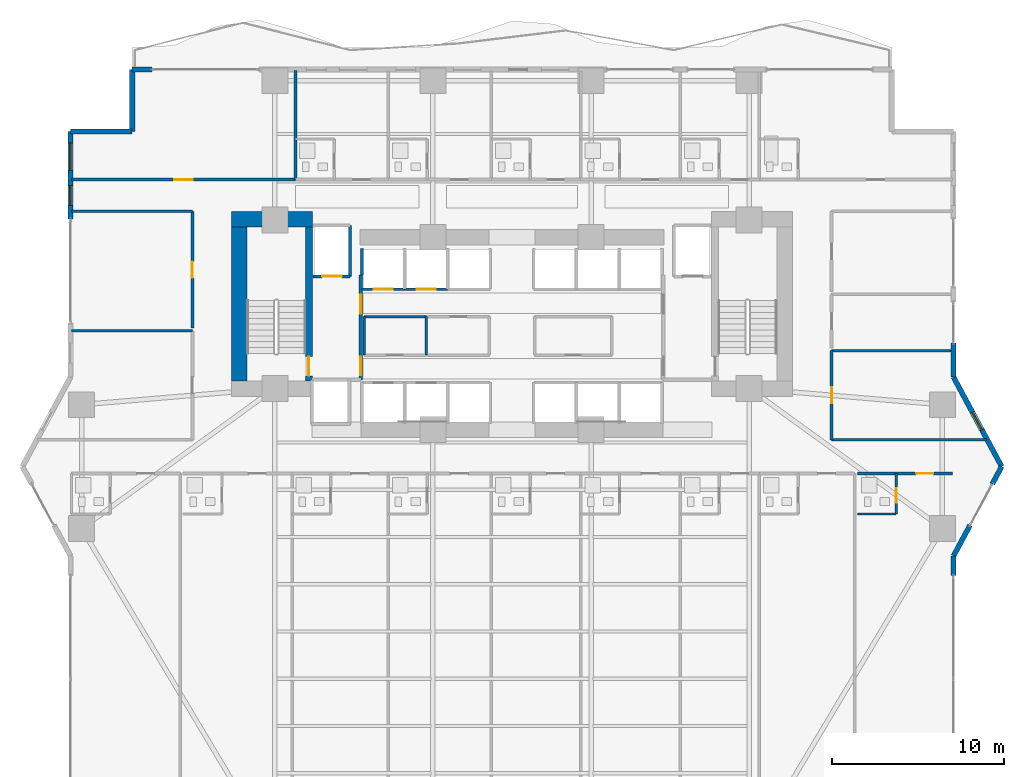
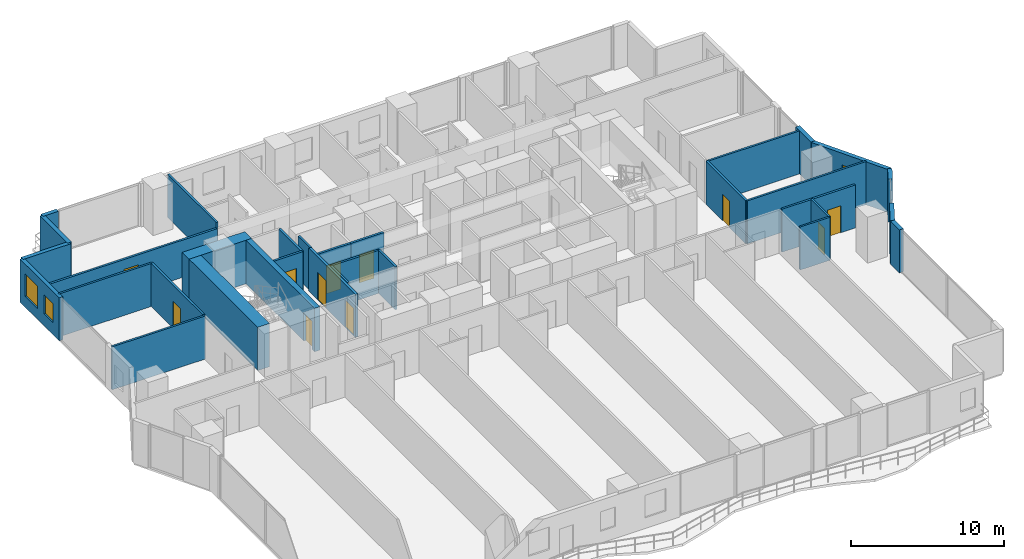
# One storey, part 20 of 28: 32 walls, 11 doors, 3 windows, 14 openings.
"""IFC4 building model written with IfcOpenShell, lengths in metres."""

from ifc_helpers import new_model, si_unit, direction, frame, frame_2d, origin, place, context, subcontext, project, spatial, rectangle, extrude, material, layer, layer_set, type_object, element, fill, save


model = new_model("IFC4")

# Units and contexts
model_context = context("Model", 3, precision=1e-05, world=origin(), true_north=direction((0.0, 1.0)))
body_context = subcontext(model_context, "Body", "Model", "MODEL_VIEW")
ifc_project = project(units=[si_unit("LENGTHUNIT", "METRE"), si_unit("AREAUNIT", "SQUARE_METRE"), si_unit("VOLUMEUNIT", "CUBIC_METRE"), si_unit("PLANEANGLEUNIT", "RADIAN"), si_unit("MASSUNIT", "GRAM", prefix="KILO")], contexts=[model_context])

# Site, building, storey
site_placement = place(None, origin())
site = spatial("IfcSite", under=ifc_project, at=site_placement, CompositionType="ELEMENT")
building_placement = place(site_placement, origin())
building = spatial("IfcBuilding", under=site, at=building_placement, Name="Zuhayl Quay Hotel", CompositionType="ELEMENT")
storey_placement = place(building_placement, frame((0.0, 0.0, 34.89990234375)))
storey = spatial("IfcBuildingStorey", under=building, at=storey_placement, Name="L07", CompositionType="ELEMENT", Elevation=34.89990234375)

# Walls
ifc_material_1 = material(Name="Concrete C70/85", Category="concrete")
ifc_layer_1 = layer(ifc_material_1, 0.89990234375, Name="Concrete C70/85", Category="concrete")
ifc_layer_set_1 = layer_set([ifc_layer_1], Name="Concrete C70/85")
wall_type_1 = type_object("IfcWallType", Name="WL_CORE_900", PredefinedType="SHEAR", material=ifc_layer_set_1)
wall_1_placement = place(storey_placement, frame((-16.31005859375, 14.3798828125, 0.0), z_axis=(0.0, 0.0, 1.0), x_axis=(1.0, 0.0, 0.0)))
element("IfcWall", 1, at=wall_1_placement, inside=storey, type_object=wall_type_1, Name="L07 Core Shear Wall CW_NW", PredefinedType="SHEAR", context=body_context, shape_type="SweptSolid", body=[
    extrude(rectangle(XDim=4.7099609375, YDim=0.89990234375, at=frame_2d((2.35498046875, 0.0))), origin(), (0.0, 0.0, 1.0), 3.460205078125),
])
wall_2_placement = place(storey_placement, frame((-15.860107421875, 4.969970703125, 0.0), z_axis=(0.0, 0.0, 1.0), x_axis=(0.0, 1.0, 0.0)))
element("IfcWall", 2, at=wall_2_placement, inside=storey, type_object=wall_type_1, Name="L07 Core Shear Wall CW_W", PredefinedType="SHEAR", context=body_context, shape_type="SweptSolid", body=[
    extrude(rectangle(XDim=8.9599609375, YDim=0.89990234375, at=frame_2d((4.47998046875, 0.0))), origin(), (0.0, 0.0, 1.0), 3.460205078125),
])

# Wall, openings, windows
ifc_material_2 = material(Name="Precast concrete C45/55", Category="concrete")
ifc_layer_2 = layer(ifc_material_2, 0.300048828125, Name="Precast concrete C45/55", Category="concrete")
ifc_layer_set_2 = layer_set([ifc_layer_2], Name="Precast concrete C45/55")
wall_type_2 = type_object("IfcWallType", Name="WL_EXT_300", PredefinedType="STANDARD", material=ifc_layer_set_2)
wall_3_placement = place(storey_placement, frame((-25.699951171875, 14.39990234375, 0.0), z_axis=(0.0, 0.0, 1.0), x_axis=(0.0, 1.0, 0.0)))
wall_3 = element("IfcWall", 3, at=wall_3_placement, inside=storey, type_object=wall_type_2, Name="L07 Exterior Precast Wall ENV_L07_E05_EW2", PredefinedType="STANDARD", context=body_context, shape_type="SweptSolid", body=[
    extrude(rectangle(XDim=5.10009765625, YDim=0.300048828125, at=frame_2d((2.550048828125, 0.0))), origin(), (0.0, 0.0, 1.0), 3.43017578125),
])
opening_1_placement = place(wall_3_placement, frame((0.800048828125, 0.0, 0.949951171875)))
opening_1 = element("IfcOpeningElement", 4, at=opening_1_placement, cuts=wall_3, Name="Opening W01N", PredefinedType="OPENING", context=body_context, shape_type="SweptSolid", body=[
    extrude(rectangle(XDim=1.14990234375, YDim=1.550048828125, at=frame_2d((0.574951171875, 0.77490234375))), frame((0.0, 0.159912109375, 0.0), z_axis=(0.0, -1.0, 0.0), x_axis=(1.0, 0.0, 0.0)), (0.0, 0.0, 1.0), 0.320068359375),
])
opening_2_placement = place(wall_3_placement, frame((2.840087890625, 0.0, 0.85009765625)))
opening_2 = element("IfcOpeningElement", 5, at=opening_2_placement, cuts=wall_3, Name="Opening W01", PredefinedType="OPENING", context=body_context, shape_type="SweptSolid", body=[
    extrude(rectangle(XDim=1.60009765625, YDim=1.800048828125, at=frame_2d((0.800048828125, 0.89990234375))), frame((0.0, 0.159912109375, 0.0), z_axis=(0.0, -1.0, 0.0), x_axis=(1.0, 0.0, 0.0)), (0.0, 0.0, 1.0), 0.320068359375),
])
ifc_material_3 = material(Name="Dark Ceramic-Fritted Solar Glass", Category="glass")
window_type_1 = type_object("IfcWindowType", Name="WN_NOTCH_1350", PartitioningType="SINGLE_PANEL", PredefinedType="WINDOW", material=ifc_material_3)
window_1_placement = place(opening_1_placement, origin())
window_1 = element("IfcWindow", 6, at=window_1_placement, inside=storey, type_object=window_type_1, Name="L07 Operable Facade Window 2-1", OverallHeight=1.550048828125, OverallWidth=1.14990234375, PartitioningType="SINGLE_PANEL", PredefinedType="WINDOW", context=body_context, shape_type="SweptSolid", body=[
    extrude(rectangle(XDim=1.14990234375, YDim=1.550048828125, at=frame_2d((0.574951171875, 0.77490234375))), frame((0.0, 0.030029296875, 0.0), z_axis=(0.0, -1.0, 0.0), x_axis=(1.0, 0.0, 0.0)), (0.0, 0.0, 1.0), 0.06005859375),
])
fill(opening_1, window_1)
window_type_2 = type_object("IfcWindowType", Name="WN_OPERABLE_1600", PartitioningType="DOUBLE_PANEL_VERTICAL", PredefinedType="WINDOW", material=ifc_material_3)
window_2_placement = place(opening_2_placement, origin())
window_2 = element("IfcWindow", 7, at=window_2_placement, inside=storey, type_object=window_type_2, Name="L07 Operable Facade Window 2-2", OverallHeight=1.800048828125, OverallWidth=1.60009765625, PartitioningType="SINGLE_PANEL", PredefinedType="WINDOW", context=body_context, shape_type="SweptSolid", body=[
    extrude(rectangle(XDim=1.60009765625, YDim=1.800048828125, at=frame_2d((0.800048828125, 0.89990234375))), frame((0.0, 0.030029296875, 0.0), z_axis=(0.0, -1.0, 0.0), x_axis=(1.0, 0.0, 0.0)), (0.0, 0.0, 1.0), 0.06005859375),
])
fill(opening_2, window_2)

# Walls
wall_4_placement = place(storey_placement, frame((-25.699951171875, 19.5, 0.0), z_axis=(0.0, 0.0, 1.0), x_axis=(1.0, 0.0, 0.0)))
element("IfcWall", 8, at=wall_4_placement, inside=storey, type_object=wall_type_2, Name="L07 Exterior Precast Wall ENV_L07_EW06", PredefinedType="STANDARD", context=body_context, shape_type="SweptSolid", body=[
    extrude(rectangle(XDim=3.599853515625, YDim=0.300048828125, at=frame_2d((1.7998046875, 0.0))), origin(), (0.0, 0.0, 1.0), 3.43017578125),
])
wall_5_placement = place(storey_placement, frame((-22.10009765625, 19.5, 0.0), z_axis=(0.0, 0.0, 1.0), x_axis=(0.0, 1.0, 0.0)))
element("IfcWall", 9, at=wall_5_placement, inside=storey, type_object=wall_type_2, Name="L07 Exterior Precast Wall ENV_L07_EW07", PredefinedType="STANDARD", context=body_context, shape_type="SweptSolid", body=[
    extrude(rectangle(XDim=3.60009765625, YDim=0.300048828125, at=frame_2d((1.800048828125, 0.0))), origin(), (0.0, 0.0, 1.0), 3.43017578125),
])
wall_6_placement = place(storey_placement, frame((-22.10009765625, 23.10009765625, 0.0), z_axis=(0.0, 0.0, 1.0), x_axis=(1.0, 0.0, 0.0)))
element("IfcWall", 10, at=wall_6_placement, inside=storey, type_object=wall_type_2, Name="L07 Exterior Precast Wall ENV_L07_N_EW1", PredefinedType="STANDARD", context=body_context, shape_type="SweptSolid", body=[
    extrude(rectangle(XDim=1.150146484375, YDim=0.300048828125, at=frame_2d((0.5751953125, 0.0))), origin(), (0.0, 0.0, 1.0), 3.43017578125),
])
wall_7_placement = place(storey_placement, frame((25.699951171875, 7.199951171875, 0.0), z_axis=(0.0, 0.0, 1.0), x_axis=(0.0, -1.0, 0.0)))
element("IfcWall", 11, at=wall_7_placement, inside=storey, type_object=wall_type_2, Name="L07 Exterior Precast Wall ENV_L07_E11_EW3", PredefinedType="STANDARD", context=body_context, shape_type="SweptSolid", body=[
    extrude(rectangle(XDim=2.0, YDim=0.300048828125, at=frame_2d((1.0, 0.0))), origin(), (0.0, 0.0, 1.0), 3.43017578125),
])

# Wall, opening, window
wall_8_placement = place(storey_placement, frame((25.699951171875, 5.199951171875, 0.0), z_axis=(0.0, 0.0, 1.0), x_axis=(0.474109683532, -0.880465790352, 0.0)))
wall_8 = element("IfcWall", 12, at=wall_8_placement, inside=storey, type_object=wall_type_2, Name="L07 Exterior Precast Wall ENV_L07_E12_EW1", PredefinedType="STANDARD", context=body_context, shape_type="SweptSolid", body=[
    extrude(rectangle(XDim=5.906005859375, YDim=0.300048828125, at=frame_2d((2.953125, 0.0))), origin(), (0.0, 0.0, 1.0), 3.43017578125),
])
opening_3_placement = place(wall_8_placement, frame((2.32373046875, 0.0, 0.949951171875)))
opening_3 = element("IfcOpeningElement", 13, at=opening_3_placement, cuts=wall_8, Name="Opening W01N", PredefinedType="OPENING", context=body_context, shape_type="SweptSolid", body=[
    extrude(rectangle(XDim=1.14990234375, YDim=1.550048828125, at=frame_2d((0.574951171875, 0.77490234375))), frame((0.0, 0.159912109375, 0.0), z_axis=(0.0, -1.0, 0.0), x_axis=(1.0, 0.0, 0.0)), (0.0, 0.0, 1.0), 0.320068359375),
])
window_3_placement = place(opening_3_placement, origin())
window_3 = element("IfcWindow", 14, at=window_3_placement, inside=storey, type_object=window_type_1, Name="L07 Operable Facade Window 1-1", OverallHeight=1.550048828125, OverallWidth=1.14990234375, PartitioningType="SINGLE_PANEL", PredefinedType="WINDOW", context=body_context, shape_type="SweptSolid", body=[
    extrude(rectangle(XDim=1.14990234375, YDim=1.550048828125, at=frame_2d((0.574951171875, 0.77490234375))), frame((0.0, 0.030029296875, 0.0), z_axis=(0.0, -1.0, 0.0), x_axis=(1.0, 0.0, 0.0)), (0.0, 0.0, 1.0), 0.06005859375),
])
fill(opening_3, window_3)

# Walls
wall_9_placement = place(storey_placement, frame((28.5, 0.0, 0.0), z_axis=(0.0, 0.0, 1.0), x_axis=(-0.474099823035, -0.880471099922, 0.0)))
element("IfcWall", 15, at=wall_9_placement, inside=storey, type_object=wall_type_2, Name="L07 Exterior Precast Wall ENV_L07_E13_EW1", PredefinedType="STANDARD", context=body_context, shape_type="SweptSolid", body=[
    extrude(rectangle(XDim=1.14990234375, YDim=0.300048828125, at=frame_2d((0.574951171875, 0.0))), origin(), (0.0, 0.0, 1.0), 3.43017578125),
])
wall_10_placement = place(storey_placement, frame((26.657958984375, -3.4208984375, 0.0), z_axis=(0.0, 0.0, 1.0), x_axis=(-0.474121438562, -0.88045946045, 0.0)))
element("IfcWall", 16, at=wall_10_placement, inside=storey, type_object=wall_type_2, Name="L07 Exterior Precast Wall ENV_L07_E13_EW2", PredefinedType="STANDARD", context=body_context, shape_type="SweptSolid", body=[
    extrude(rectangle(XDim=2.0205078125, YDim=0.300048828125, at=frame_2d((1.01025390625, 0.0))), origin(), (0.0, 0.0, 1.0), 3.43017578125),
])
wall_11_placement = place(storey_placement, frame((25.699951171875, -5.199951171875, 0.0), z_axis=(0.0, 0.0, 1.0), x_axis=(0.0, -1.0, 0.0)))
element("IfcWall", 17, at=wall_11_placement, inside=storey, type_object=wall_type_2, Name="L07 Exterior Precast Wall ENV_L07_E14_EW1", PredefinedType="STANDARD", context=body_context, shape_type="SweptSolid", body=[
    extrude(rectangle(XDim=1.150146484375, YDim=0.300048828125, at=frame_2d((0.5751953125, 0.0))), origin(), (0.0, 0.0, 1.0), 3.43017578125),
])
ifc_material_4 = material(Name="Acoustic Gypsum Partition STC-58")
ifc_layer_3 = layer(ifc_material_4, 0.14990234375, Name="Acoustic Gypsum Partition STC-58")
ifc_layer_set_3 = layer_set([ifc_layer_3], Name="Acoustic Gypsum Partition STC-58")
wall_type_3 = type_object("IfcWallType", Name="WL_PART_150", PredefinedType="PARTITIONING", material=ifc_layer_set_3)
wall_12_placement = place(storey_placement, frame((-8.610107421875, 8.719970703125, 0.0), z_axis=(0.0, 0.0, 1.0), x_axis=(1.0, 0.0, 0.0)))
element("IfcWall", 18, at=wall_12_placement, inside=storey, type_object=wall_type_3, Name="L07 Partition IW_L07_CORE_SW_N", PredefinedType="PARTITIONING", context=body_context, shape_type="SweptSolid", body=[
    extrude(rectangle(XDim=3.6201171875, YDim=0.14990234375, at=frame_2d((1.81005859375, 0.0))), origin(), (0.0, 0.0, 1.0), 3.43017578125),
])
for number, where, z_axis, x_axis, name in (
    (19, (-8.610107421875, 6.47998046875, 0.0), (0.0, 0.0, 1.0), (0.0, 1.0, 0.0), "L07 Partition IW_L07_CORE_SW_W"),
    (20, (-4.989990234375, 6.47998046875, 0.0), (0.0, 0.0, 1.0), (0.0, 1.0, 0.0), "L07 Partition IW_L07_CORE_SW_E"),
):
    element("IfcWall", number, at=place(storey_placement, frame(where, z_axis=z_axis, x_axis=x_axis)), inside=storey, type_object=wall_type_3, Name=name, PredefinedType="PARTITIONING", context=body_context, shape_type="SweptSolid", body=[
        extrude(rectangle(XDim=2.239990234375, YDim=0.14990234375, at=frame_2d((1.1201171875, 0.0))), origin(), (0.0, 0.0, 1.0), 3.43017578125),
    ])
wall_13_placement = place(storey_placement, frame((-12.60009765625, 16.699951171875, 0.0), z_axis=(0.0, 0.0, 1.0), x_axis=(0.0, 1.0, 0.0)))
element("IfcWall", 21, at=wall_13_placement, inside=storey, type_object=wall_type_3, Name="L07 Partition IW_L07_NSAL_0_E", PredefinedType="PARTITIONING", context=body_context, shape_type="SweptSolid", body=[
    extrude(rectangle(XDim=6.340087890625, YDim=0.14990234375, at=frame_2d((3.169921875, 0.0))), origin(), (0.0, 0.0, 1.0), 3.43017578125),
])
wall_14_placement = place(storey_placement, frame((18.60009765625, 1.550048828125, 0.0), z_axis=(0.0, 0.0, 1.0), x_axis=(1.0, 0.0, 0.0)))
element("IfcWall", 22, at=wall_14_placement, inside=storey, type_object=wall_type_3, Name="L07 Partition IW_L07_HK_MAIN_S", PredefinedType="PARTITIONING", context=body_context, shape_type="SweptSolid", body=[
    extrude(rectangle(XDim=9.00537109375, YDim=0.14990234375, at=frame_2d((4.502685546875, 0.0))), origin(), (0.0, 0.0, 1.0), 3.43017578125),
])
for number, where, z_axis, x_axis, name in (
    (23, (18.60009765625, 6.75, 0.0), (0.0, 0.0, 1.0), (1.0, 0.0, 0.0), "L07 Partition IW_L07_HK_MAIN_N"),
    (24, (-25.639892578125, 7.89990234375, 0.0), (0.0, 0.0, 1.0), (1.0, 0.0, 0.0), "L07 Partition IW_L07_WPROW_1_N"),
    (25, (-25.639892578125, 14.85009765625, 0.0), (0.0, 0.0, 1.0), (1.0, 0.0, 0.0), "L07 Partition IW_L07_WPROW_2_N"),
):
    element("IfcWall", number, at=place(storey_placement, frame(where, z_axis=z_axis, x_axis=x_axis)), inside=storey, type_object=wall_type_3, Name=name, PredefinedType="PARTITIONING", context=body_context, shape_type="SweptSolid", body=[
        extrude(rectangle(XDim=7.039794921875, YDim=0.14990234375, at=frame_2d((3.52001953125, 0.0))), origin(), (0.0, 0.0, 1.0), 3.43017578125),
    ])

# Wall, opening, door
ifc_layer_4 = layer(ifc_material_4, 0.159912109375, Name="Acoustic Gypsum Partition STC-58")
ifc_layer_set_4 = layer_set([ifc_layer_4], Name="Acoustic Gypsum Partition STC-58")
wall_type_4 = type_object("IfcWallType", Name="WL_PART_CORR_160", PredefinedType="PARTITIONING", material=ifc_layer_set_4)
wall_15_placement = place(storey_placement, frame((-25.639892578125, 16.699951171875, 0.0), z_axis=(0.0, 0.0, 1.0), x_axis=(1.0, 0.0, 0.0)))
wall_15 = element("IfcWall", 26, at=wall_15_placement, inside=storey, type_object=wall_type_4, Name="L07 Partition IW_L07_NSAL_0_S", PredefinedType="PARTITIONING", context=body_context, shape_type="SweptSolid", body=[
    extrude(rectangle(XDim=13.039794921875, YDim=0.159912109375, at=frame_2d((6.52001953125, 0.0))), origin(), (0.0, 0.0, 1.0), 2.97314453125),
])
opening_4_placement = place(wall_15_placement, frame((5.97998046875, 0.0, 0.0)))
opening_4 = element("IfcOpeningElement", 27, at=opening_4_placement, cuts=wall_15, Name="Opening D05A", PredefinedType="OPENING", context=body_context, shape_type="SweptSolid", body=[
    extrude(rectangle(XDim=1.080078125, YDim=2.179931640625, at=frame_2d((0.5400390625, 1.08984375))), frame((0.0, 0.08984375, 0.0), z_axis=(0.0, -1.0, 0.0), x_axis=(1.0, 0.0, 0.0)), (0.0, 0.0, 1.0), 0.179931640625),
])
ifc_material_5 = material(Name="Solid Walnut Acoustic Fire Door")
door_type_1 = type_object("IfcDoorType", Name="DR_INT_1100", OperationType="NOTDEFINED", PredefinedType="DOOR", material=ifc_material_5)
door_1_placement = place(opening_4_placement, origin())
door_1 = element("IfcDoor", 28, at=door_1_placement, inside=storey, type_object=door_type_1, Name="L07 Gulf Executive Lounge Door", OperationType="SINGLE_SWING_RIGHT", OverallHeight=2.179931640625, OverallWidth=1.080078125, PredefinedType="DOOR", context=body_context, shape_type="SweptSolid", body=[
    extrude(rectangle(XDim=1.080078125, YDim=2.179931640625, at=frame_2d((0.5400390625, 1.08984375))), frame((0.0, 0.02490234375, 0.0), z_axis=(0.0, -1.0, 0.0), x_axis=(1.0, 0.0, 0.0)), (0.0, 0.0, 1.0), 0.050048828125),
])
fill(opening_4, door_1)

wall_16_placement = place(storey_placement, frame((20.10009765625, -0.39990234375, 0.0), z_axis=(0.0, 0.0, 1.0), x_axis=(1.0, 0.0, 0.0)))
wall_16 = element("IfcWall", 29, at=wall_16_placement, inside=storey, type_object=wall_type_4, Name="L07 Partition IW_L07_SU07B_COR", PredefinedType="PARTITIONING", context=body_context, shape_type="SweptSolid", body=[
    extrude(rectangle(XDim=5.539794921875, YDim=0.159912109375, at=frame_2d((2.77001953125, 0.0))), origin(), (0.0, 0.0, 1.0), 3.43017578125),
])
opening_5_placement = place(wall_16_placement, frame((3.419921875, 0.0, 0.0)))
opening_5 = element("IfcOpeningElement", 30, at=opening_5_placement, cuts=wall_16, Name="Opening D03L", PredefinedType="OPENING", context=body_context, shape_type="SweptSolid", body=[
    extrude(rectangle(XDim=1.0, YDim=2.14990234375, at=frame_2d((0.5, 1.074951171875))), frame((0.0, 0.08984375, 0.0), z_axis=(0.0, -1.0, 0.0), x_axis=(1.0, 0.0, 0.0)), (0.0, 0.0, 1.0), 0.179931640625),
])
door_type_2 = type_object("IfcDoorType", Name="DR_SUITE_1000", OperationType="NOTDEFINED", PredefinedType="DOOR", material=ifc_material_5)
door_2_placement = place(opening_5_placement, origin())
door_2 = element("IfcDoor", 31, at=door_2_placement, inside=storey, type_object=door_type_2, Name="L07 Premier Twin Junior Suite L07-07B Entrance Door", OperationType="SINGLE_SWING_RIGHT", OverallHeight=2.14990234375, OverallWidth=1.0, PredefinedType="DOOR", context=body_context, shape_type="SweptSolid", body=[
    extrude(rectangle(XDim=1.0, YDim=2.14990234375, at=frame_2d((0.5, 1.074951171875))), frame((0.0, 0.02490234375, 0.0), z_axis=(0.0, -1.0, 0.0), x_axis=(1.0, 0.0, 0.0)), (0.0, 0.0, 1.0), 0.050048828125),
])
fill(opening_5, door_2)

wall_17_placement = place(storey_placement, frame((18.60009765625, 1.550048828125, 0.0), z_axis=(0.0, 0.0, 1.0), x_axis=(0.0, 1.0, 0.0)))
wall_17 = element("IfcWall", 32, at=wall_17_placement, inside=storey, type_object=wall_type_4, Name="L07 Partition IW_L07_HK_MAIN_W", PredefinedType="PARTITIONING", context=body_context, shape_type="SweptSolid", body=[
    extrude(rectangle(XDim=5.199951171875, YDim=0.159912109375, at=frame_2d((2.60009765625, 0.0))), origin(), (0.0, 0.0, 1.0), 3.43017578125),
])
opening_6_placement = place(wall_17_placement, frame((2.139892578125, 0.0, 0.0)))
opening_6 = element("IfcOpeningElement", 33, at=opening_6_placement, cuts=wall_17, Name="Opening D05", PredefinedType="OPENING", context=body_context, shape_type="SweptSolid", body=[
    extrude(rectangle(XDim=0.919921875, YDim=2.1201171875, at=frame_2d((0.4599609375, 1.06005859375))), frame((0.0, 0.08984375, 0.0), z_axis=(0.0, -1.0, 0.0), x_axis=(1.0, 0.0, 0.0)), (0.0, 0.0, 1.0), 0.179931640625),
])
door_type_3 = type_object("IfcDoorType", Name="DR_INT_950", OperationType="NOTDEFINED", PredefinedType="DOOR", material=ifc_material_5)
door_3_placement = place(opening_6_placement, origin())
door_3 = element("IfcDoor", 34, at=door_3_placement, inside=storey, type_object=door_type_3, Name="L07 Housekeeping and Linen Room Door", OperationType="SINGLE_SWING_LEFT", OverallHeight=2.1201171875, OverallWidth=0.919921875, PredefinedType="DOOR", context=body_context, shape_type="SweptSolid", body=[
    extrude(rectangle(XDim=0.919921875, YDim=2.1201171875, at=frame_2d((0.4599609375, 1.06005859375))), frame((0.0, 0.02490234375, 0.0), z_axis=(0.0, -1.0, 0.0), x_axis=(1.0, 0.0, 0.0)), (0.0, 0.0, 1.0), 0.050048828125),
])
fill(opening_6, door_3)

wall_18_placement = place(storey_placement, frame((-18.60009765625, 8.06005859375, 0.0), z_axis=(0.0, 0.0, 1.0), x_axis=(0.0, 1.0, 0.0)))
wall_18 = element("IfcWall", 35, at=wall_18_placement, inside=storey, type_object=wall_type_4, Name="L07 Partition IW_L07_WPROW_2_E", PredefinedType="PARTITIONING", context=body_context, shape_type="SweptSolid", body=[
    extrude(rectangle(XDim=6.7900390625, YDim=0.159912109375, at=frame_2d((3.39501953125, 0.0))), origin(), (0.0, 0.0, 1.0), 3.43017578125),
])
opening_7_placement = place(wall_18_placement, frame((2.919921875, 0.0, 0.0)))
opening_7 = element("IfcOpeningElement", 36, at=opening_7_placement, cuts=wall_18, Name="Opening D03", PredefinedType="OPENING", context=body_context, shape_type="SweptSolid", body=[
    extrude(rectangle(XDim=0.949951171875, YDim=2.14990234375, at=frame_2d((0.47509765625, 1.074951171875))), frame((0.0, 0.08984375, 0.0), z_axis=(0.0, -1.0, 0.0), x_axis=(1.0, 0.0, 0.0)), (0.0, 0.0, 1.0), 0.179931640625),
])
door_type_4 = type_object("IfcDoorType", Name="DR_SUITE_950", OperationType="NOTDEFINED", PredefinedType="DOOR", material=ifc_material_5)
door_4_placement = place(opening_7_placement, origin())
door_4 = element("IfcDoor", 37, at=door_4_placement, inside=storey, type_object=door_type_4, Name="L07 Sunset Lounge L07 Door", OperationType="SINGLE_SWING_LEFT", OverallHeight=2.14990234375, OverallWidth=0.949951171875, PredefinedType="DOOR", context=body_context, shape_type="SweptSolid", body=[
    extrude(rectangle(XDim=0.949951171875, YDim=2.14990234375, at=frame_2d((0.47509765625, 1.074951171875))), frame((0.0, 0.02490234375, 0.0), z_axis=(0.0, -1.0, 0.0), x_axis=(1.0, 0.0, 0.0)), (0.0, 0.0, 1.0), 0.050048828125),
])
fill(opening_7, door_4)

ifc_material_6 = material(Name="Moisture-Resistant Sanitarychase Gypsum")
ifc_layer_5 = layer(ifc_material_6, 0.135009765625, Name="Moisture-Resistant Sanitarychase Gypsum")
ifc_layer_set_5 = layer_set([ifc_layer_5], Name="Moisture-Resistant Sanitarychase Gypsum")
wall_type_5 = type_object("IfcWallType", Name="WL_PART_PLUMB_150", PredefinedType="PLUMBINGWALL", material=ifc_layer_set_5)
wall_19_placement = place(storey_placement, frame((22.360107421875, -2.760009765625, 0.0), z_axis=(0.0, 0.0, 1.0), x_axis=(0.0, 1.0, 0.0)))
wall_19 = element("IfcWall", 38, at=wall_19_placement, inside=storey, type_object=wall_type_5, Name="L07 Partition IW_L07_SU07B_BE", PredefinedType="PLUMBINGWALL", context=body_context, shape_type="SweptSolid", body=[
    extrude(rectangle(XDim=2.360107421875, YDim=0.135009765625, at=frame_2d((1.18017578125, 0.0))), origin(), (0.0, 0.0, 1.0), 3.43017578125),
])
opening_8_placement = place(wall_19_placement, frame((0.64990234375, 0.0, 0.0)))
opening_8 = element("IfcOpeningElement", 39, at=opening_8_placement, cuts=wall_19, Name="Opening D04", PredefinedType="OPENING", context=body_context, shape_type="SweptSolid", body=[
    extrude(rectangle(XDim=0.85009765625, YDim=2.10009765625, at=frame_2d((0.425048828125, 1.050048828125))), frame((0.0, 0.077392578125, 0.0), z_axis=(0.0, -1.0, 0.0), x_axis=(1.0, 0.0, 0.0)), (0.0, 0.0, 1.0), 0.155029296875),
])
ifc_material_7 = material(Name="Moisture-Resistant Walnut Veneer")
door_type_5 = type_object("IfcDoorType", Name="DR_BATH_850", OperationType="NOTDEFINED", PredefinedType="DOOR", material=ifc_material_7)
door_5_placement = place(opening_8_placement, origin())
door_5 = element("IfcDoor", 40, at=door_5_placement, inside=storey, type_object=door_type_5, Name="L07 Premier Twin Junior Suite L07-07B En-Suite Door", OperationType="SINGLE_SWING_LEFT", OverallHeight=2.10009765625, OverallWidth=0.85009765625, PredefinedType="DOOR", context=body_context, shape_type="SweptSolid", body=[
    extrude(rectangle(XDim=0.85009765625, YDim=2.10009765625, at=frame_2d((0.425048828125, 1.050048828125))), frame((0.0, 0.02490234375, 0.0), z_axis=(0.0, -1.0, 0.0), x_axis=(1.0, 0.0, 0.0)), (0.0, 0.0, 1.0), 0.050048828125),
])
fill(opening_8, door_5)

# Wall
wall_20_placement = place(storey_placement, frame((20.10009765625, -2.760009765625, 0.0), z_axis=(0.0, 0.0, 1.0), x_axis=(1.0, 0.0, 0.0)))
element("IfcWall", 41, at=wall_20_placement, inside=storey, type_object=wall_type_5, Name="L07 Partition IW_L07_SU07B_BS", PredefinedType="PLUMBINGWALL", context=body_context, shape_type="SweptSolid", body=[
    extrude(rectangle(XDim=2.260009765625, YDim=0.135009765625, at=frame_2d((1.1298828125, 0.0))), origin(), (0.0, 0.0, 1.0), 3.43017578125),
])

# Wall, opening, door
ifc_material_8 = material(Name="Gypsum Fireboard Assembly EI-90")
ifc_layer_6 = layer(ifc_material_8, 0.1650390625, Name="Gypsum Fireboard Assembly EI-90")
ifc_layer_set_6 = layer_set([ifc_layer_6], Name="Gypsum Fireboard Assembly EI-90")
wall_type_6 = type_object("IfcWallType", Name="WL_PART_SHAFT_160", PredefinedType="PARTITIONING", material=ifc_layer_set_6)
wall_21_placement = place(storey_placement, frame((-11.580078125, 11.070068359375, 0.0), z_axis=(0.0, 0.0, 1.0), x_axis=(1.0, 0.0, 0.0)))
wall_21 = element("IfcWall", 42, at=wall_21_placement, inside=storey, type_object=wall_type_6, Name="L07 Partition IW_L07_SH_FL1_F", PredefinedType="PARTITIONING", context=body_context, shape_type="SweptSolid", body=[
    extrude(rectangle(XDim=2.16015625, YDim=0.1650390625, at=frame_2d((1.080078125, 0.0))), origin(), (0.0, 0.0, 1.0), 3.43017578125),
])
opening_9_placement = place(wall_21_placement, frame((0.530029296875, 0.0, 0.0)))
opening_9 = element("IfcOpeningElement", 43, at=opening_9_placement, cuts=wall_21, Name="Opening LD2", PredefinedType="OPENING", context=body_context, shape_type="SweptSolid", body=[
    extrude(rectangle(XDim=1.14990234375, YDim=2.25, at=frame_2d((0.574951171875, 1.125))), frame((0.0, 0.092529296875, 0.0), z_axis=(0.0, -1.0, 0.0), x_axis=(1.0, 0.0, 0.0)), (0.0, 0.0, 1.0), 0.18505859375),
])
ifc_material_9 = material(Name="Brushed Stainless Steel", Category="steel")
door_type_6 = type_object("IfcDoorType", Name="DR_LIFT_FF_1100", OperationType="SLIDING_TO_LEFT", PredefinedType="DOOR", material=ifc_material_9)
door_6_placement = place(opening_9_placement, origin())
door_6 = element("IfcDoor", 44, at=door_6_placement, inside=storey, type_object=door_type_6, Name="L07 Lift FL1 Sliding Landing Door", OperationType="SLIDING_TO_LEFT", OverallHeight=2.25, OverallWidth=1.14990234375, PredefinedType="DOOR", context=body_context, shape_type="SweptSolid", body=[
    extrude(rectangle(XDim=1.14990234375, YDim=2.25, at=frame_2d((0.574951171875, 1.125))), frame((0.0, 0.02490234375, 0.0), z_axis=(0.0, -1.0, 0.0), x_axis=(1.0, 0.0, 0.0)), (0.0, 0.0, 1.0), 0.050048828125),
])
fill(opening_9, door_6)

wall_22_placement = place(storey_placement, frame((-8.72998046875, 10.320068359375, 0.0), z_axis=(0.0, 0.0, 1.0), x_axis=(1.0, 0.0, 0.0)))
wall_22 = element("IfcWall", 45, at=wall_22_placement, inside=storey, type_object=wall_type_6, Name="L07 Partition IW_L07_SH_LP3_F", PredefinedType="PARTITIONING", context=body_context, shape_type="SweptSolid", body=[
    extrude(rectangle(XDim=2.47998046875, YDim=0.1650390625, at=frame_2d((1.239990234375, 0.0))), origin(), (0.0, 0.0, 1.0), 3.43017578125),
])
opening_10_placement = place(wall_22_placement, frame((0.68994140625, 0.0, 0.0)))
opening_10 = element("IfcOpeningElement", 46, at=opening_10_placement, cuts=wall_22, Name="Opening LD1", PredefinedType="OPENING", context=body_context, shape_type="SweptSolid", body=[
    extrude(rectangle(XDim=1.10009765625, YDim=2.25, at=frame_2d((0.550048828125, 1.125))), frame((0.0, 0.092529296875, 0.0), z_axis=(0.0, -1.0, 0.0), x_axis=(1.0, 0.0, 0.0)), (0.0, 0.0, 1.0), 0.18505859375),
])
door_type_7 = type_object("IfcDoorType", Name="DR_LIFT_PASS_1100", OperationType="SLIDING_TO_LEFT", PredefinedType="DOOR", material=ifc_material_9)
door_7_placement = place(opening_10_placement, origin())
door_7 = element("IfcDoor", 47, at=door_7_placement, inside=storey, type_object=door_type_7, Name="L07 Lift LP3 Sliding Landing Door", OperationType="SLIDING_TO_LEFT", OverallHeight=2.25, OverallWidth=1.10009765625, PredefinedType="DOOR", context=body_context, shape_type="SweptSolid", body=[
    extrude(rectangle(XDim=1.10009765625, YDim=2.25, at=frame_2d((0.550048828125, 1.125))), frame((0.0, 0.02490234375, 0.0), z_axis=(0.0, -1.0, 0.0), x_axis=(1.0, 0.0, 0.0)), (0.0, 0.0, 1.0), 0.050048828125),
])
fill(opening_10, door_7)

wall_23_placement = place(storey_placement, frame((-6.25, 10.320068359375, 0.0), z_axis=(0.0, 0.0, 1.0), x_axis=(1.0, 0.0, 0.0)))
wall_23 = element("IfcWall", 48, at=wall_23_placement, inside=storey, type_object=wall_type_6, Name="L07 Partition IW_L07_SH_LP4_F", PredefinedType="PARTITIONING", context=body_context, shape_type="SweptSolid", body=[
    extrude(rectangle(XDim=2.5, YDim=0.1650390625, at=frame_2d((1.25, 0.0))), origin(), (0.0, 0.0, 1.0), 3.43017578125),
])
opening_11_placement = place(wall_23_placement, frame((0.699951171875, 0.0, 0.0)))
opening_11 = element("IfcOpeningElement", 49, at=opening_11_placement, cuts=wall_23, Name="Opening LD1", PredefinedType="OPENING", context=body_context, shape_type="SweptSolid", body=[
    extrude(rectangle(XDim=1.10009765625, YDim=2.25, at=frame_2d((0.550048828125, 1.125))), frame((0.0, 0.092529296875, 0.0), z_axis=(0.0, -1.0, 0.0), x_axis=(1.0, 0.0, 0.0)), (0.0, 0.0, 1.0), 0.18505859375),
])
door_8_placement = place(opening_11_placement, origin())
door_8 = element("IfcDoor", 50, at=door_8_placement, inside=storey, type_object=door_type_7, Name="L07 Lift LP4 Sliding Landing Door", OperationType="SLIDING_TO_LEFT", OverallHeight=2.25, OverallWidth=1.10009765625, PredefinedType="DOOR", context=body_context, shape_type="SweptSolid", body=[
    extrude(rectangle(XDim=1.10009765625, YDim=2.25, at=frame_2d((0.550048828125, 1.125))), frame((0.0, 0.02490234375, 0.0), z_axis=(0.0, -1.0, 0.0), x_axis=(1.0, 0.0, 0.0)), (0.0, 0.0, 1.0), 0.050048828125),
])
fill(opening_11, door_8)

# Walls
wall_24_placement = place(storey_placement, frame((-9.419921875, 11.070068359375, 0.0), z_axis=(0.0, 0.0, 1.0), x_axis=(0.0, 1.0, 0.0)))
element("IfcWall", 51, at=wall_24_placement, inside=storey, type_object=wall_type_6, Name="L07 Partition IW_L07_SH_FL1_E", PredefinedType="PARTITIONING", context=body_context, shape_type="SweptSolid", body=[
    extrude(rectangle(XDim=2.9599609375, YDim=0.1650390625, at=frame_2d((1.47998046875, 0.0))), origin(), (0.0, 0.0, 1.0), 3.43017578125),
])
wall_25_placement = place(storey_placement, frame((-8.72998046875, 11.14990234375, 0.0), z_axis=(0.0, 0.0, 1.0), x_axis=(0.0, 1.0, 0.0)))
element("IfcWall", 52, at=wall_25_placement, inside=storey, type_object=wall_type_6, Name="L07 Partition IW_L07_SH_LP3_W", PredefinedType="PARTITIONING", context=body_context, shape_type="SweptSolid", body=[
    extrude(rectangle(XDim=1.530029296875, YDim=0.1650390625, at=frame_2d((0.76513671875, 0.0))), origin(), (0.0, 0.0, 1.0), 3.43017578125),
])

# Wall, openings, doors
ifc_material_10 = material(Name="Gypsum Fireboard Assembly EI-120")
ifc_layer_7 = layer(ifc_material_10, 0.199951171875, Name="Gypsum Fireboard Assembly EI-120")
ifc_layer_set_7 = layer_set([ifc_layer_7], Name="Gypsum Fireboard Assembly EI-120")
wall_type_7 = type_object("IfcWallType", Name="WL_PART_SHAFT_200", PredefinedType="PARTITIONING", material=ifc_layer_set_7)
wall_26_placement = place(storey_placement, frame((-8.800048828125, 5.050048828125, 0.0), z_axis=(0.0, 0.0, 1.0), x_axis=(0.0, 1.0, 0.0)))
wall_26 = element("IfcWall", 53, at=wall_26_placement, inside=storey, type_object=wall_type_7, Name="L07 Partition IW_L07_FSAE_W_E", PredefinedType="PARTITIONING", context=body_context, shape_type="SweptSolid", body=[
    extrude(rectangle(XDim=6.099853515625, YDim=0.199951171875, at=frame_2d((3.0498046875, 0.0))), origin(), (0.0, 0.0, 1.0), 3.43017578125),
])
opening_12_placement = place(wall_26_placement, frame((0.25, 0.0, 0.0)))
opening_12 = element("IfcOpeningElement", 54, at=opening_12_placement, cuts=wall_26, Name="Opening D02", PredefinedType="OPENING", context=body_context, shape_type="SweptSolid", body=[
    extrude(rectangle(XDim=1.10009765625, YDim=2.199951171875, at=frame_2d((0.550048828125, 1.10009765625))), frame((0.0, 0.10986328125, 0.0), z_axis=(0.0, -1.0, 0.0), x_axis=(1.0, 0.0, 0.0)), (0.0, 0.0, 1.0), 0.219970703125),
])
opening_13_placement = place(wall_26_placement, frame((3.85009765625, 0.0, 0.0)))
opening_13 = element("IfcOpeningElement", 55, at=opening_13_placement, cuts=wall_26, Name="Opening D02", PredefinedType="OPENING", context=body_context, shape_type="SweptSolid", body=[
    extrude(rectangle(XDim=1.10009765625, YDim=2.199951171875, at=frame_2d((0.550048828125, 1.10009765625))), frame((0.0, 0.10986328125, 0.0), z_axis=(0.0, -1.0, 0.0), x_axis=(1.0, 0.0, 0.0)), (0.0, 0.0, 1.0), 0.219970703125),
])
ifc_material_11 = material(Name="Steel ASTM A992 Grade 50", Category="steel")
door_type_8 = type_object("IfcDoorType", Name="DR_FIRE_90_1100", OperationType="NOTDEFINED", PredefinedType="DOOR", material=ifc_material_11)
door_9_placement = place(opening_12_placement, origin())
door_9 = element("IfcDoor", 56, at=door_9_placement, inside=storey, type_object=door_type_8, Name="L07 FSAE Lobby West South Entry Door", OperationType="SINGLE_SWING_LEFT", OverallHeight=2.199951171875, OverallWidth=1.10009765625, PredefinedType="DOOR", context=body_context, shape_type="SweptSolid", body=[
    extrude(rectangle(XDim=1.10009765625, YDim=2.199951171875, at=frame_2d((0.550048828125, 1.10009765625))), frame((0.0, 0.02490234375, 0.0), z_axis=(0.0, -1.0, 0.0), x_axis=(1.0, 0.0, 0.0)), (0.0, 0.0, 1.0), 0.050048828125),
])
fill(opening_12, door_9)
door_10_placement = place(opening_13_placement, origin())
door_10 = element("IfcDoor", 57, at=door_10_placement, inside=storey, type_object=door_type_8, Name="L07 FSAE Lobby West North Entry Door", OperationType="SINGLE_SWING_RIGHT", OverallHeight=2.199951171875, OverallWidth=1.10009765625, PredefinedType="DOOR", context=body_context, shape_type="SweptSolid", body=[
    extrude(rectangle(XDim=1.10009765625, YDim=2.199951171875, at=frame_2d((0.550048828125, 1.10009765625))), frame((0.0, 0.02490234375, 0.0), z_axis=(0.0, -1.0, 0.0), x_axis=(1.0, 0.0, 0.0)), (0.0, 0.0, 1.0), 0.050048828125),
])
fill(opening_13, door_10)

# Wall, opening, door
ifc_material_12 = material(Name="Concrete C60/75", Category="concrete")
ifc_layer_8 = layer(ifc_material_12, 0.39990234375, Name="Concrete C60/75", Category="concrete")
ifc_layer_set_8 = layer_set([ifc_layer_8], Name="Concrete C60/75")
wall_type_8 = type_object("IfcWallType", Name="WL_STAIR_400", PredefinedType="SHEAR", material=ifc_layer_set_8)
wall_27_placement = place(storey_placement, frame((-11.820068359375, 4.969970703125, 0.0), z_axis=(0.0, 0.0, 1.0), x_axis=(0.0, 1.0, 0.0)))
wall_27 = element("IfcWall", 58, at=wall_27_placement, inside=storey, type_object=wall_type_8, Name="L07 Core Shear Wall SW_ST1", PredefinedType="SHEAR", context=body_context, shape_type="SweptSolid", body=[
    extrude(rectangle(XDim=8.9599609375, YDim=0.39990234375, at=frame_2d((4.47998046875, 0.0))), origin(), (0.0, 0.0, 1.0), 3.460205078125),
])
opening_14_placement = place(wall_27_placement, frame((0.31005859375, 0.0, 0.0)))
opening_14 = element("IfcOpeningElement", 59, at=opening_14_placement, cuts=wall_27, Name="Opening D01", PredefinedType="OPENING", context=body_context, shape_type="SweptSolid", body=[
    extrude(rectangle(XDim=1.1201171875, YDim=2.219970703125, at=frame_2d((0.56005859375, 1.10986328125))), frame((0.0, 0.2099609375, 0.0), z_axis=(0.0, -1.0, 0.0), x_axis=(1.0, 0.0, 0.0)), (0.0, 0.0, 1.0), 0.419921875),
])
door_type_9 = type_object("IfcDoorType", Name="DR_STAIR_90_1100", OperationType="NOTDEFINED", PredefinedType="DOOR", material=ifc_material_11)
door_11_placement = place(opening_14_placement, origin())
door_11 = element("IfcDoor", 60, at=door_11_placement, inside=storey, type_object=door_type_9, Name="L07 Smokeproof Exit Stair ST1 Door", OperationType="SINGLE_SWING_LEFT", OverallHeight=2.219970703125, OverallWidth=1.1201171875, PredefinedType="DOOR", context=body_context, shape_type="SweptSolid", body=[
    extrude(rectangle(XDim=1.1201171875, YDim=2.219970703125, at=frame_2d((0.56005859375, 1.10986328125))), frame((0.0, 0.02490234375, 0.0), z_axis=(0.0, -1.0, 0.0), x_axis=(1.0, 0.0, 0.0)), (0.0, 0.0, 1.0), 0.050048828125),
])
fill(opening_14, door_11)

save(model, "model.ifc")
